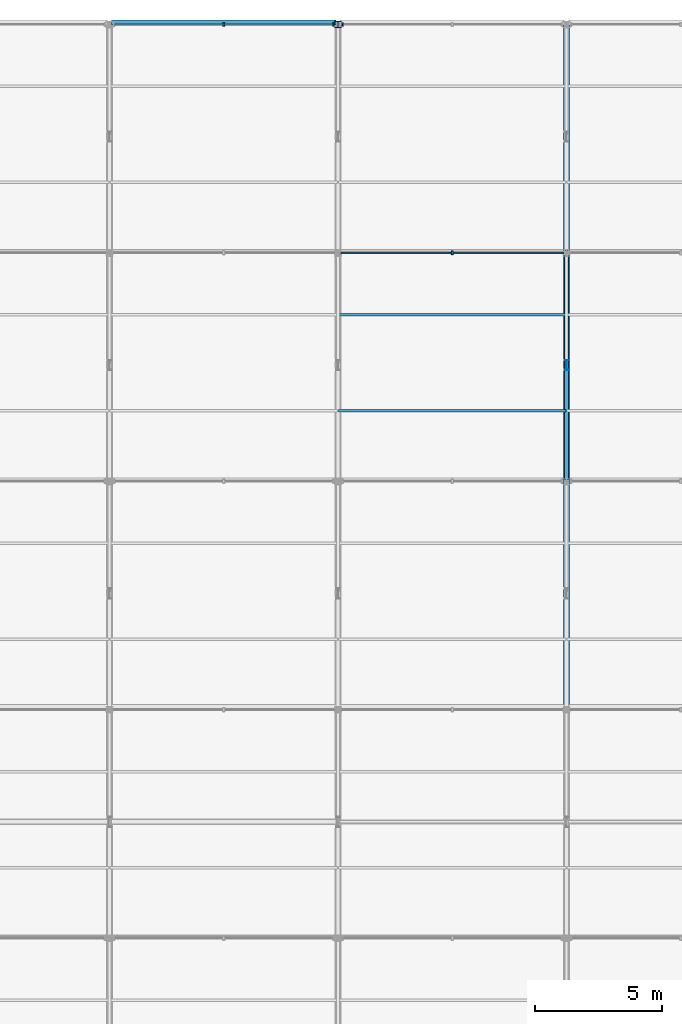
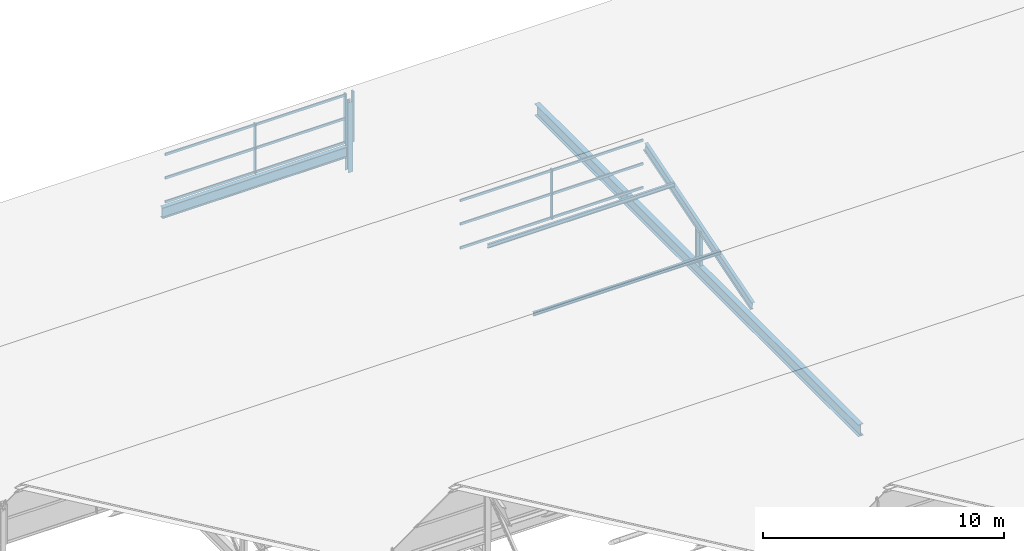
# One storey, part 97 of 163: 21 members, 2 beams, 3 elements without a shape of their own.
"""IFC4 building model written with IfcOpenShell, lengths in metres."""

from ifc_helpers import new_model, si_unit, direction, frame, origin, origin_2d, place, context, subcontext, project, spatial, rectangle, i_section, extrude, material, material_profile, profile_set, type_object, element, aggregate, save


model = new_model("IFC4")

# Units and contexts
model_context = context("Model", 3, precision=1e-05, world=origin(), true_north=direction((0.0, 1.0)))
body_context = subcontext(model_context, "Body", "Model", "MODEL_VIEW")
ifc_project = project(units=[si_unit("LENGTHUNIT", "METRE"), si_unit("AREAUNIT", "SQUARE_METRE"), si_unit("VOLUMEUNIT", "CUBIC_METRE"), si_unit("PLANEANGLEUNIT", "RADIAN"), si_unit("MASSUNIT", "GRAM", prefix="KILO")], contexts=[model_context])

# Site, building, storey
site_placement = place(None, origin())
site = spatial("IfcSite", under=ifc_project, at=site_placement, CompositionType="ELEMENT")
building_placement = place(site_placement, origin())
building = spatial("IfcBuilding", under=site, at=building_placement, Name="Tharagai Park Tramway Depot", CompositionType="ELEMENT")
storey_placement = place(building_placement, frame((0.0, 0.0, 8.39990234375)))
storey = spatial("IfcBuildingStorey", under=building, at=storey_placement, Name="L02", CompositionType="ELEMENT", Elevation=8.39990234375)

# Beams
ifc_material_1 = material(Name="Steel E350", Category="steel")
ifc_material_profile_1 = material_profile(ifc_material_1, i_section(OverallWidth=0.25, OverallDepth=0.60009765625, WebThickness=0.01171875, FlangeThickness=0.023681640625, FilletRadius=0.01708984375, at=origin_2d()), Name="ISWB 600")
ifc_profile_set_1 = profile_set([ifc_material_profile_1], Name="Steel E350")
beam_type_1 = type_object("IfcBeamType", Name="BM-01", PredefinedType="BEAM", material=ifc_profile_set_1)
beam_1_placement = place(storey_placement, frame((72.0, 117.080078125, -0.25), z_axis=(0.0, 1.0, 0.0), x_axis=(-1.0, 0.0, 0.0)))
element("IfcBeam", 1, at=beam_1_placement, inside=storey, type_object=beam_type_1, Name="Sawtooth Truss Bottom Tie Girder BM-01", PredefinedType="BEAM", context=body_context, shape_type="SweptSolid", body=[
    extrude(i_section(OverallWidth=0.25, OverallDepth=0.60009765625, WebThickness=0.01171875, FlangeThickness=0.023681640625, FilletRadius=0.01708984375, at=origin_2d()), origin(), (0.0, 0.0, 1.0), 26.83984375),
])
ifc_material_profile_2 = material_profile(ifc_material_1, i_section(OverallWidth=0.18994140625, OverallDepth=0.550048828125, WebThickness=0.01123046875, FlangeThickness=0.019287109375, FilletRadius=0.01806640625, at=origin_2d()), Name="ISMB 550")
ifc_profile_set_2 = profile_set([ifc_material_profile_2], Name="Steel E350")
beam_type_2 = type_object("IfcBeamType", Name="BM-09", PredefinedType="BEAM", material=ifc_profile_set_2)
beam_2_placement = place(storey_placement, frame((54.080078125, 144.0, 0.72509765625), z_axis=(1.0, 0.0, 0.0), x_axis=(0.0, 1.0, 0.0)))
element("IfcBeam", 2, at=beam_2_placement, inside=storey, type_object=beam_type_2, Name="Sawtooth Valley Girder BM-09", PredefinedType="BEAM", context=body_context, shape_type="SweptSolid", body=[
    extrude(i_section(OverallWidth=0.18994140625, OverallDepth=0.550048828125, WebThickness=0.01123046875, FlangeThickness=0.019287109375, FilletRadius=0.01806640625, at=origin_2d()), origin(), (0.0, 0.0, 1.0), 8.83984375),
])

# Member
ifc_material_profile_3 = material_profile(ifc_material_1, i_section(OverallWidth=0.25, OverallDepth=0.25, WebThickness=0.0087890625, FlangeThickness=0.009765625, FilletRadius=0.010009765625, at=origin_2d()), Name="ISHB 250")
ifc_profile_set_3 = profile_set([ifc_material_profile_3], Name="Steel E350")
member_type_1 = type_object("IfcMemberType", Name="BR-01", PredefinedType="BRACE", material=ifc_profile_set_3)
member_1_placement = place(storey_placement, frame((63.0, 143.919921875, -0.25), z_axis=(0.0, 0.0, 1.0), x_axis=(1.0, 0.0, 0.0)))
element("IfcMember", 3, at=member_1_placement, inside=storey, type_object=member_type_1, Name="Sawtooth North Vertical Post BR-01", PredefinedType="BRACE", context=body_context, shape_type="SweptSolid", body=[
    extrude(i_section(OverallWidth=0.25, OverallDepth=0.25, WebThickness=0.0087890625, FlangeThickness=0.009765625, FilletRadius=0.010009765625, at=origin_2d()), origin(), (0.0, 0.0, 1.0), 3.55517578125),
])

# Curtain wall, members
ifc_material_2 = material(Name="Anodised aluminium", Category="aluminium")
curtain_wall_type_1 = type_object("IfcCurtainWallType", Name="CW-04", PredefinedType="NOTDEFINED", material=ifc_material_2)
curtain_wall_1_placement = place(storey_placement, origin())
curtain_wall_1 = element("IfcCurtainWall", 4, at=curtain_wall_1_placement, inside=storey, type_object=curtain_wall_type_1, Name="Sawtooth North-Light Clerestory CW-04", PredefinedType="NOTDEFINED")
ifc_material_profile_4 = material_profile(ifc_material_2, rectangle(XDim=0.06494140625, YDim=0.1201171875, at=origin_2d()), Name="ALU 65x120")
ifc_profile_set_4 = profile_set([ifc_material_profile_4], Name="Anodised aluminium")
member_type_2 = type_object("IfcMemberType", Name="CM-01", PredefinedType="USERDEFINED", material=ifc_profile_set_4)
member_2_placement = place(storey_placement, frame((63.114990234375, 134.919921875, 1.26513671875), z_axis=(1.0, 0.0, 0.0), x_axis=(0.0, 1.0, 0.0)))
member_2 = element("IfcMember", 5, at=member_2_placement, type_object=member_type_2, Name="Sawtooth North-Light Clerestory Transom 1.1", ObjectType="TRANSOM", PredefinedType="USERDEFINED", context=body_context, shape_type="SweptSolid", body=[
    extrude(rectangle(XDim=0.06494140625, YDim=0.1201171875, at=origin_2d()), origin(), (0.0, 0.0, 1.0), 4.3701171875),
])
member_3_placement = place(storey_placement, frame((63.114990234375, 134.919921875, 2.4736328125), z_axis=(1.0, 0.0, 0.0), x_axis=(0.0, 1.0, 0.0)))
member_3 = element("IfcMember", 6, at=member_3_placement, type_object=member_type_2, Name="Sawtooth North-Light Clerestory Transom 1.2", ObjectType="TRANSOM", PredefinedType="USERDEFINED", context=body_context, shape_type="SweptSolid", body=[
    extrude(rectangle(XDim=0.06494140625, YDim=0.1201171875, at=origin_2d()), origin(), (0.0, 0.0, 1.0), 4.3701171875),
])
member_4_placement = place(storey_placement, frame((63.114990234375, 134.919921875, 3.662353515625), z_axis=(1.0, 0.0, 0.0), x_axis=(0.0, 1.0, 0.0)))
member_4 = element("IfcMember", 7, at=member_4_placement, type_object=member_type_2, Name="Sawtooth North-Light Clerestory Transom 1.3", ObjectType="TRANSOM", PredefinedType="USERDEFINED", context=body_context, shape_type="SweptSolid", body=[
    extrude(rectangle(XDim=0.06494140625, YDim=0.1201171875, at=origin_2d()), origin(), (0.0, 0.0, 1.0), 4.3701171875),
])
member_5_placement = place(storey_placement, frame((67.514892578125, 134.919921875, 1.26513671875), z_axis=(1.0, 0.0, 0.0), x_axis=(0.0, 1.0, 0.0)))
member_5 = element("IfcMember", 8, at=member_5_placement, type_object=member_type_2, Name="Sawtooth North-Light Clerestory Transom 2.1", ObjectType="TRANSOM", PredefinedType="USERDEFINED", context=body_context, shape_type="SweptSolid", body=[
    extrude(rectangle(XDim=0.06494140625, YDim=0.1201171875, at=origin_2d()), origin(), (0.0, 0.0, 1.0), 4.3701171875),
])
member_6_placement = place(storey_placement, frame((67.514892578125, 134.919921875, 2.4736328125), z_axis=(1.0, 0.0, 0.0), x_axis=(0.0, 1.0, 0.0)))
member_6 = element("IfcMember", 9, at=member_6_placement, type_object=member_type_2, Name="Sawtooth North-Light Clerestory Transom 2.2", ObjectType="TRANSOM", PredefinedType="USERDEFINED", context=body_context, shape_type="SweptSolid", body=[
    extrude(rectangle(XDim=0.06494140625, YDim=0.1201171875, at=origin_2d()), origin(), (0.0, 0.0, 1.0), 4.3701171875),
])
member_7_placement = place(storey_placement, frame((67.514892578125, 134.919921875, 3.662353515625), z_axis=(1.0, 0.0, 0.0), x_axis=(0.0, 1.0, 0.0)))
member_7 = element("IfcMember", 10, at=member_7_placement, type_object=member_type_2, Name="Sawtooth North-Light Clerestory Transom 2.3", ObjectType="TRANSOM", PredefinedType="USERDEFINED", context=body_context, shape_type="SweptSolid", body=[
    extrude(rectangle(XDim=0.06494140625, YDim=0.1201171875, at=origin_2d()), origin(), (0.0, 0.0, 1.0), 4.3701171875),
])

curtain_wall_type_2 = type_object("IfcCurtainWallType", Name="CW-03", PredefinedType="NOTDEFINED", material=ifc_material_2)
curtain_wall_2_placement = place(storey_placement, origin())
curtain_wall_2 = element("IfcCurtainWall", 11, at=curtain_wall_2_placement, inside=storey, type_object=curtain_wall_type_2, Name="Sawtooth North-Light Clerestory CW-03", PredefinedType="NOTDEFINED")
member_8_placement = place(storey_placement, frame((54.195068359375, 143.919921875, 1.26513671875), z_axis=(1.0, 0.0, 0.0), x_axis=(0.0, 1.0, 0.0)))
member_8 = element("IfcMember", 12, at=member_8_placement, type_object=member_type_2, Name="Sawtooth North-Light Clerestory Transom 1.1", ObjectType="TRANSOM", PredefinedType="USERDEFINED", context=body_context, shape_type="SweptSolid", body=[
    extrude(rectangle(XDim=0.06494140625, YDim=0.1201171875, at=origin_2d()), origin(), (0.0, 0.0, 1.0), 4.2900390625),
])
member_9_placement = place(storey_placement, frame((54.195068359375, 143.919921875, 2.4736328125), z_axis=(1.0, 0.0, 0.0), x_axis=(0.0, 1.0, 0.0)))
member_9 = element("IfcMember", 13, at=member_9_placement, type_object=member_type_2, Name="Sawtooth North-Light Clerestory Transom 1.2", ObjectType="TRANSOM", PredefinedType="USERDEFINED", context=body_context, shape_type="SweptSolid", body=[
    extrude(rectangle(XDim=0.06494140625, YDim=0.1201171875, at=origin_2d()), origin(), (0.0, 0.0, 1.0), 4.2900390625),
])
member_10_placement = place(storey_placement, frame((54.195068359375, 143.919921875, 3.662353515625), z_axis=(1.0, 0.0, 0.0), x_axis=(0.0, 1.0, 0.0)))
member_10 = element("IfcMember", 14, at=member_10_placement, type_object=member_type_2, Name="Sawtooth North-Light Clerestory Transom 1.3", ObjectType="TRANSOM", PredefinedType="USERDEFINED", context=body_context, shape_type="SweptSolid", body=[
    extrude(rectangle(XDim=0.06494140625, YDim=0.1201171875, at=origin_2d()), origin(), (0.0, 0.0, 1.0), 4.2900390625),
])
member_11_placement = place(storey_placement, frame((58.514892578125, 143.919921875, 1.26513671875), z_axis=(1.0, 0.0, 0.0), x_axis=(0.0, 1.0, 0.0)))
member_11 = element("IfcMember", 15, at=member_11_placement, type_object=member_type_2, Name="Sawtooth North-Light Clerestory Transom 2.1", ObjectType="TRANSOM", PredefinedType="USERDEFINED", context=body_context, shape_type="SweptSolid", body=[
    extrude(rectangle(XDim=0.06494140625, YDim=0.1201171875, at=origin_2d()), origin(), (0.0, 0.0, 1.0), 4.2900390625),
])
member_12_placement = place(storey_placement, frame((58.514892578125, 143.919921875, 2.4736328125), z_axis=(1.0, 0.0, 0.0), x_axis=(0.0, 1.0, 0.0)))
member_12 = element("IfcMember", 16, at=member_12_placement, type_object=member_type_2, Name="Sawtooth North-Light Clerestory Transom 2.2", ObjectType="TRANSOM", PredefinedType="USERDEFINED", context=body_context, shape_type="SweptSolid", body=[
    extrude(rectangle(XDim=0.06494140625, YDim=0.1201171875, at=origin_2d()), origin(), (0.0, 0.0, 1.0), 4.2900390625),
])
member_13_placement = place(storey_placement, frame((58.514892578125, 143.919921875, 3.662353515625), z_axis=(1.0, 0.0, 0.0), x_axis=(0.0, 1.0, 0.0)))
member_13 = element("IfcMember", 17, at=member_13_placement, type_object=member_type_2, Name="Sawtooth North-Light Clerestory Transom 2.3", ObjectType="TRANSOM", PredefinedType="USERDEFINED", context=body_context, shape_type="SweptSolid", body=[
    extrude(rectangle(XDim=0.06494140625, YDim=0.1201171875, at=origin_2d()), origin(), (0.0, 0.0, 1.0), 4.2900390625),
])

# Member
ifc_material_profile_5 = material_profile(ifc_material_2, rectangle(XDim=0.06494140625, YDim=0.14990234375, at=origin_2d()), Name="ALU 65x150")
ifc_profile_set_5 = profile_set([ifc_material_profile_5], Name="Anodised aluminium")
member_type_3 = type_object("IfcMemberType", Name="CM-03", PredefinedType="MULLION", material=ifc_profile_set_5)
member_14_placement = place(storey_placement, frame((67.5, 134.919921875, 1.2001953125), z_axis=(0.0, 0.0, 1.0), x_axis=(1.0, 0.0, 0.0)))
member_14 = element("IfcMember", 18, at=member_14_placement, type_object=member_type_3, Name="Sawtooth North-Light Clerestory Mullion 2", PredefinedType="MULLION", context=body_context, shape_type="SweptSolid", body=[
    extrude(rectangle(XDim=0.06494140625, YDim=0.14990234375, at=origin_2d()), origin(), (0.0, 0.0, 1.0), 2.547119140625),
])

aggregate(curtain_wall_1, [member_14, member_2, member_3, member_4, member_5, member_6, member_7])

member_15_placement = place(storey_placement, frame((58.5, 143.919921875, 1.2001953125), z_axis=(0.0, 0.0, 1.0), x_axis=(1.0, 0.0, 0.0)))
member_15 = element("IfcMember", 19, at=member_15_placement, type_object=member_type_3, Name="Sawtooth North-Light Clerestory Mullion 2", PredefinedType="MULLION", context=body_context, shape_type="SweptSolid", body=[
    extrude(rectangle(XDim=0.06494140625, YDim=0.14990234375, at=origin_2d()), origin(), (0.0, 0.0, 1.0), 2.547119140625),
])

member_16_placement = place(storey_placement, frame((62.820068359375, 143.919921875, 1.2001953125), z_axis=(0.0, 0.0, 1.0), x_axis=(1.0, 0.0, 0.0)))
member_16 = element("IfcMember", 20, at=member_16_placement, type_object=member_type_3, Name="Sawtooth North-Light Clerestory Mullion 3", PredefinedType="MULLION", context=body_context, shape_type="SweptSolid", body=[
    extrude(rectangle(XDim=0.06494140625, YDim=0.14990234375, at=origin_2d()), origin(), (0.0, 0.0, 1.0), 2.547119140625),
])

aggregate(curtain_wall_2, [member_15, member_16, member_8, member_9, member_10, member_11, member_12, member_13])

# Curtain wall, member
curtain_wall_3_placement = place(storey_placement, origin())
curtain_wall_3 = element("IfcCurtainWall", 21, at=curtain_wall_3_placement, inside=storey, type_object=curtain_wall_type_2, Name="Sawtooth North-Light Clerestory CW-03", PredefinedType="NOTDEFINED")
member_17_placement = place(storey_placement, frame((63.179931640625, 143.919921875, 1.2001953125), z_axis=(0.0, 0.0, 1.0), x_axis=(1.0, 0.0, 0.0)))
member_17 = element("IfcMember", 22, at=member_17_placement, type_object=member_type_3, Name="Sawtooth North-Light Clerestory Mullion 1", PredefinedType="MULLION", context=body_context, shape_type="SweptSolid", body=[
    extrude(rectangle(XDim=0.06494140625, YDim=0.14990234375, at=origin_2d()), origin(), (0.0, 0.0, 1.0), 2.547119140625),
])
aggregate(curtain_wall_3, [member_17])

# Members
ifc_material_3 = material(Name="Steel E250", Category="steel")
ifc_material_profile_6 = material_profile(ifc_material_3, i_section(OverallWidth=0.10009765625, OverallDepth=0.199951171875, WebThickness=0.005615234375, FlangeThickness=0.0107421875, FilletRadius=0.010986328125, at=origin_2d()), Name="ISMB 200")
ifc_profile_set_6 = profile_set([ifc_material_profile_6], Name="Steel E250")
member_type_4 = type_object("IfcMemberType", Name="PR-04", PredefinedType="PURLIN", material=ifc_profile_set_6)
for number, where, z_axis, x_axis, name in (
    (23, (63.02001953125, 128.699951171875, 1.733154296875), (1.0, 0.0, 0.0), (0.0, 1.0, 0.0), "Sawtooth Roof Purlin PR-04"),
    (24, (63.02001953125, 132.47998046875, 2.87451171875), (1.0, 0.0, 0.0), (0.0, 1.0, 0.0), "Sawtooth Roof Purlin PR-04"),
):
    element("IfcMember", number, at=place(storey_placement, frame(where, z_axis=z_axis, x_axis=x_axis)), inside=storey, type_object=member_type_4, Name=name, PredefinedType="PURLIN", context=body_context, shape_type="SweptSolid", body=[
        extrude(i_section(OverallWidth=0.10009765625, OverallDepth=0.199951171875, WebThickness=0.005615234375, FlangeThickness=0.0107421875, FilletRadius=0.010986328125, at=origin_2d()), origin(), (0.0, 0.0, 1.0), 8.9599609375),
    ])
ifc_material_profile_7 = material_profile(ifc_material_1, i_section(OverallWidth=0.14990234375, OverallDepth=0.449951171875, WebThickness=0.009521484375, FlangeThickness=0.017333984375, FilletRadius=0.014892578125, at=origin_2d()), Name="ISMB 450")
ifc_profile_set_7 = profile_set([ifc_material_profile_7], Name="Steel E350")
member_type_5 = type_object("IfcMemberType", Name="TC-05", PredefinedType="CHORD", material=ifc_profile_set_7)
member_18_placement = place(storey_placement, frame((72.0, 126.06005859375, 0.587890625), z_axis=(0.0, 0.956231486327, 0.29261125159), x_axis=(-1.0, 0.0, 0.0)))
element("IfcMember", 25, at=member_18_placement, inside=storey, type_object=member_type_5, Name="Sawtooth Top Chord TC-05", PredefinedType="CHORD", context=body_context, shape_type="SweptSolid", body=[
    extrude(i_section(OverallWidth=0.14990234375, OverallDepth=0.449951171875, WebThickness=0.009521484375, FlangeThickness=0.017333984375, FilletRadius=0.014892578125, at=origin_2d()), origin(), (0.0, 0.0, 1.0), 9.286376953125),
])
ifc_material_profile_8 = material_profile(ifc_material_1, i_section(OverallWidth=0.139892578125, OverallDepth=0.39990234375, WebThickness=0.0087890625, FlangeThickness=0.01611328125, FilletRadius=0.013916015625, at=origin_2d()), Name="ISMB 400")
ifc_profile_set_8 = profile_set([ifc_material_profile_8], Name="Steel E350")
member_type_6 = type_object("IfcMemberType", Name="TC-06", PredefinedType="CHORD", material=ifc_profile_set_8)
member_19_placement = place(storey_placement, frame((72.0, 130.5, -0.0498046875), z_axis=(0.0, 0.0, 1.0), x_axis=(1.0, 0.0, 0.0)))
element("IfcMember", 26, at=member_19_placement, inside=storey, type_object=member_type_6, Name="Sawtooth Mid-Tooth Strut TC-06", PredefinedType="CHORD", context=body_context, shape_type="SweptSolid", body=[
    extrude(i_section(OverallWidth=0.139892578125, OverallDepth=0.39990234375, WebThickness=0.0087890625, FlangeThickness=0.01611328125, FilletRadius=0.013916015625, at=origin_2d()), origin(), (0.0, 0.0, 1.0), 1.846435546875),
])

save(model, "model.ifc")
